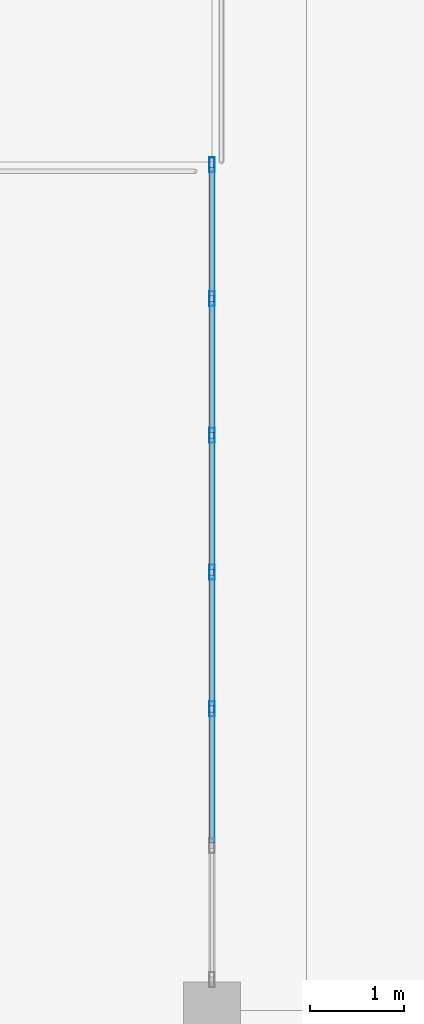
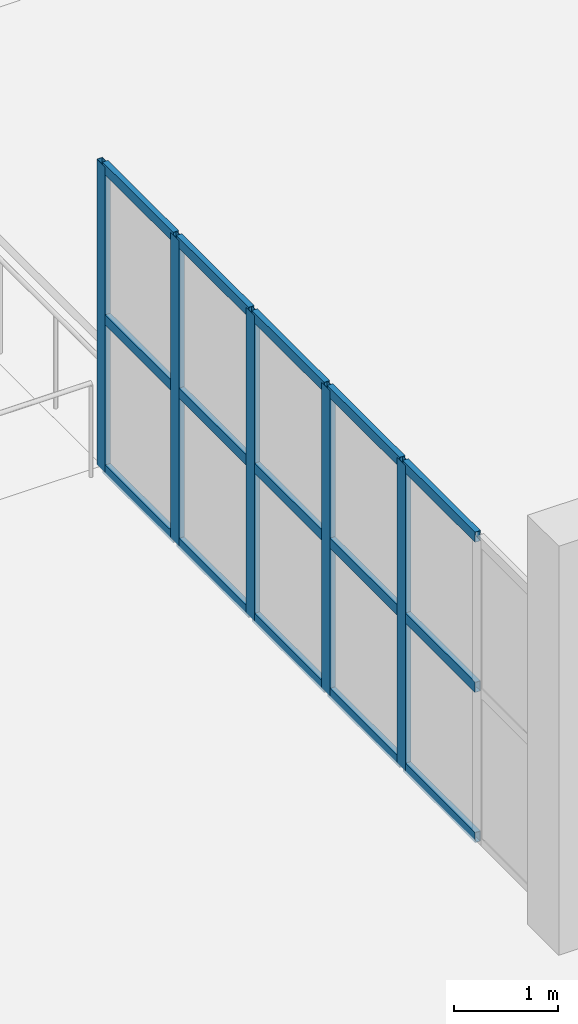
# One storey, part 50 of 89: 20 members, 1 element without a shape of its own.
"""IFC4 building model written with IfcOpenShell, lengths in metres."""

from ifc_helpers import new_model, si_unit, direction, frame, origin, origin_2d, place, context, subcontext, project, spatial, hollow_rectangle, extrude, material, layer, layer_set, material_profile, profile_set, type_object, element, aggregate, save


model = new_model("IFC4")

# Units and contexts
model_context = context("Model", 3, precision=1e-05, world=origin(), true_north=direction((0.0, 1.0)))
body_context = subcontext(model_context, "Body", "Model", "MODEL_VIEW")
ifc_project = project(units=[si_unit("LENGTHUNIT", "METRE"), si_unit("AREAUNIT", "SQUARE_METRE"), si_unit("VOLUMEUNIT", "CUBIC_METRE"), si_unit("PLANEANGLEUNIT", "RADIAN"), si_unit("MASSUNIT", "GRAM", prefix="KILO")], contexts=[model_context])

# Site, building, storey
site_placement = place(None, origin())
site = spatial("IfcSite", under=ifc_project, at=site_placement, CompositionType="ELEMENT")
building_placement = place(site_placement, origin())
building = spatial("IfcBuilding", under=site, at=building_placement, Name="Dornveld Trade and Exhibition Forum", CompositionType="ELEMENT")
storey_placement = place(building_placement, frame((0.0, 0.0, 12.0)))
storey = spatial("IfcBuildingStorey", under=building, at=storey_placement, Name="L02", CompositionType="ELEMENT", Elevation=12.0)

# Curtain wall, members
ifc_material_1 = material(Name="Dark-bronze anodised aluminium and low-E glass", Category="aluminium")
ifc_layer = layer(ifc_material_1, 0.172119140625)
ifc_layer_set = layer_set([ifc_layer], Name="Dark-bronze anodised aluminium and low-E glass")
curtain_wall_type = type_object("IfcCurtainWallType", Name="CW-SYS-10", PredefinedType="USERDEFINED", material=ifc_layer_set)
curtain_wall_placement = place(storey_placement, origin())
curtain_wall = element("IfcCurtainWall", 1, at=curtain_wall_placement, inside=storey, type_object=curtain_wall_type, Name="L02 unitised curtain wall 118", ObjectType="UNITISED_CURTAIN_WALL", PredefinedType="USERDEFINED")
ifc_material_2 = material(Name="Dark-bronze anodised aluminium", Category="aluminium")
ifc_material_profile_1 = material_profile(ifc_material_2, hollow_rectangle(XDim=0.06005859375, YDim=0.159912109375, WallThickness=0.00390625, at=origin_2d()), Name="RHS 160x60x4")
ifc_profile_set_1 = profile_set([ifc_material_profile_1], Name="Dark-bronze anodised aluminium")
member_type_1 = type_object("IfcMemberType", Name="CW-MUL-160", PredefinedType="MULLION", material=ifc_profile_set_1)
member_1_placement = place(storey_placement, frame((207.0, 129.197265625, -0.00390625), z_axis=(0.0, 0.0, 1.0), x_axis=(-1.0, 0.0, 0.0)))
member_1 = element("IfcMember", 2, at=member_1_placement, type_object=member_type_1, Name="CW-10 mullion 3", PredefinedType="MULLION", context=body_context, shape_type="SweptSolid", body=[
    extrude(hollow_rectangle(XDim=0.06005859375, YDim=0.159912109375, WallThickness=0.00390625, at=origin_2d()), origin(), (0.0, 0.0, 1.0), 3.583984375),
])
member_2_placement = place(storey_placement, frame((207.0, 130.64794921875, -0.00390625), z_axis=(0.0, 0.0, 1.0), x_axis=(-1.0, 0.0, 0.0)))
member_2 = element("IfcMember", 3, at=member_2_placement, type_object=member_type_1, Name="CW-10 mullion 4", PredefinedType="MULLION", context=body_context, shape_type="SweptSolid", body=[
    extrude(hollow_rectangle(XDim=0.06005859375, YDim=0.159912109375, WallThickness=0.00390625, at=origin_2d()), origin(), (0.0, 0.0, 1.0), 3.583984375),
])
member_3_placement = place(storey_placement, frame((207.0, 132.0986328125, -0.00390625), z_axis=(0.0, 0.0, 1.0), x_axis=(-1.0, 0.0, 0.0)))
member_3 = element("IfcMember", 4, at=member_3_placement, type_object=member_type_1, Name="CW-10 mullion 5", PredefinedType="MULLION", context=body_context, shape_type="SweptSolid", body=[
    extrude(hollow_rectangle(XDim=0.06005859375, YDim=0.159912109375, WallThickness=0.00390625, at=origin_2d()), origin(), (0.0, 0.0, 1.0), 3.583984375),
])
member_4_placement = place(storey_placement, frame((207.0, 133.54931640625, -0.00390625), z_axis=(0.0, 0.0, 1.0), x_axis=(-1.0, 0.0, 0.0)))
member_4 = element("IfcMember", 5, at=member_4_placement, type_object=member_type_1, Name="CW-10 mullion 6", PredefinedType="MULLION", context=body_context, shape_type="SweptSolid", body=[
    extrude(hollow_rectangle(XDim=0.06005859375, YDim=0.159912109375, WallThickness=0.00390625, at=origin_2d()), origin(), (0.0, 0.0, 1.0), 3.583984375),
])
member_5_placement = place(storey_placement, frame((207.0, 134.969970703125, -0.00390625), z_axis=(0.0, 0.0, 1.0), x_axis=(-1.0, 0.0, 0.0)))
member_5 = element("IfcMember", 6, at=member_5_placement, type_object=member_type_1, Name="CW-10 mullion 7", PredefinedType="MULLION", context=body_context, shape_type="SweptSolid", body=[
    extrude(hollow_rectangle(XDim=0.06005859375, YDim=0.159912109375, WallThickness=0.00390625, at=origin_2d()), origin(), (0.0, 0.0, 1.0), 3.583984375),
])
ifc_material_3 = material(Name="Dark-bronze anodised aluminium", Category="aluminium")
ifc_material_profile_2 = material_profile(ifc_material_3, hollow_rectangle(XDim=0.06005859375, YDim=0.1201171875, WallThickness=0.00390625, at=origin_2d()), Name="RHS 120x60x4")
ifc_profile_set_2 = profile_set([ifc_material_profile_2], Name="Dark-bronze anodised aluminium")
member_type_2 = type_object("IfcMemberType", Name="CW-TRN-120", PredefinedType="USERDEFINED", material=ifc_profile_set_2)
member_6_placement = place(storey_placement, frame((207.0, 127.776611328125, 0.02587890625), z_axis=(0.0, 1.0, 0.0), x_axis=(-1.0, 0.0, 0.0)))
member_6 = element("IfcMember", 7, at=member_6_placement, type_object=member_type_2, Name="CW-10 transom 2.1", ObjectType="TRANSOM", PredefinedType="USERDEFINED", context=body_context, shape_type="SweptSolid", body=[
    extrude(hollow_rectangle(XDim=0.06005859375, YDim=0.1201171875, WallThickness=0.00390625, at=origin_2d()), origin(), (0.0, 0.0, 1.0), 1.390625),
])
member_7_placement = place(storey_placement, frame((207.0, 127.776611328125, 1.7880859375), z_axis=(0.0, 1.0, 0.0), x_axis=(-1.0, 0.0, 0.0)))
member_7 = element("IfcMember", 8, at=member_7_placement, type_object=member_type_2, Name="CW-10 transom 2.2", ObjectType="TRANSOM", PredefinedType="USERDEFINED", context=body_context, shape_type="SweptSolid", body=[
    extrude(hollow_rectangle(XDim=0.06005859375, YDim=0.1201171875, WallThickness=0.00390625, at=origin_2d()), origin(), (0.0, 0.0, 1.0), 1.390625),
])
member_8_placement = place(storey_placement, frame((207.0, 127.776611328125, 3.550048828125), z_axis=(0.0, 1.0, 0.0), x_axis=(-1.0, 0.0, 0.0)))
member_8 = element("IfcMember", 9, at=member_8_placement, type_object=member_type_2, Name="CW-10 transom 2.3", ObjectType="TRANSOM", PredefinedType="USERDEFINED", context=body_context, shape_type="SweptSolid", body=[
    extrude(hollow_rectangle(XDim=0.06005859375, YDim=0.1201171875, WallThickness=0.00390625, at=origin_2d()), origin(), (0.0, 0.0, 1.0), 1.390625),
])
member_9_placement = place(storey_placement, frame((207.0, 129.227294921875, 0.02587890625), z_axis=(0.0, 1.0, 0.0), x_axis=(-1.0, 0.0, 0.0)))
member_9 = element("IfcMember", 10, at=member_9_placement, type_object=member_type_2, Name="CW-10 transom 3.1", ObjectType="TRANSOM", PredefinedType="USERDEFINED", context=body_context, shape_type="SweptSolid", body=[
    extrude(hollow_rectangle(XDim=0.06005859375, YDim=0.1201171875, WallThickness=0.00390625, at=origin_2d()), origin(), (0.0, 0.0, 1.0), 1.390625),
])
member_10_placement = place(storey_placement, frame((207.0, 129.227294921875, 1.7880859375), z_axis=(0.0, 1.0, 0.0), x_axis=(-1.0, 0.0, 0.0)))
member_10 = element("IfcMember", 11, at=member_10_placement, type_object=member_type_2, Name="CW-10 transom 3.2", ObjectType="TRANSOM", PredefinedType="USERDEFINED", context=body_context, shape_type="SweptSolid", body=[
    extrude(hollow_rectangle(XDim=0.06005859375, YDim=0.1201171875, WallThickness=0.00390625, at=origin_2d()), origin(), (0.0, 0.0, 1.0), 1.390625),
])
member_11_placement = place(storey_placement, frame((207.0, 129.227294921875, 3.550048828125), z_axis=(0.0, 1.0, 0.0), x_axis=(-1.0, 0.0, 0.0)))
member_11 = element("IfcMember", 12, at=member_11_placement, type_object=member_type_2, Name="CW-10 transom 3.3", ObjectType="TRANSOM", PredefinedType="USERDEFINED", context=body_context, shape_type="SweptSolid", body=[
    extrude(hollow_rectangle(XDim=0.06005859375, YDim=0.1201171875, WallThickness=0.00390625, at=origin_2d()), origin(), (0.0, 0.0, 1.0), 1.390625),
])
member_12_placement = place(storey_placement, frame((207.0, 130.677978515625, 0.02587890625), z_axis=(0.0, 1.0, 0.0), x_axis=(-1.0, 0.0, 0.0)))
member_12 = element("IfcMember", 13, at=member_12_placement, type_object=member_type_2, Name="CW-10 transom 4.1", ObjectType="TRANSOM", PredefinedType="USERDEFINED", context=body_context, shape_type="SweptSolid", body=[
    extrude(hollow_rectangle(XDim=0.06005859375, YDim=0.1201171875, WallThickness=0.00390625, at=origin_2d()), origin(), (0.0, 0.0, 1.0), 1.390625),
])
member_13_placement = place(storey_placement, frame((207.0, 130.677978515625, 1.7880859375), z_axis=(0.0, 1.0, 0.0), x_axis=(-1.0, 0.0, 0.0)))
member_13 = element("IfcMember", 14, at=member_13_placement, type_object=member_type_2, Name="CW-10 transom 4.2", ObjectType="TRANSOM", PredefinedType="USERDEFINED", context=body_context, shape_type="SweptSolid", body=[
    extrude(hollow_rectangle(XDim=0.06005859375, YDim=0.1201171875, WallThickness=0.00390625, at=origin_2d()), origin(), (0.0, 0.0, 1.0), 1.390625),
])
member_14_placement = place(storey_placement, frame((207.0, 130.677978515625, 3.550048828125), z_axis=(0.0, 1.0, 0.0), x_axis=(-1.0, 0.0, 0.0)))
member_14 = element("IfcMember", 15, at=member_14_placement, type_object=member_type_2, Name="CW-10 transom 4.3", ObjectType="TRANSOM", PredefinedType="USERDEFINED", context=body_context, shape_type="SweptSolid", body=[
    extrude(hollow_rectangle(XDim=0.06005859375, YDim=0.1201171875, WallThickness=0.00390625, at=origin_2d()), origin(), (0.0, 0.0, 1.0), 1.390625),
])
member_15_placement = place(storey_placement, frame((207.0, 132.128662109375, 0.02587890625), z_axis=(0.0, 1.0, 0.0), x_axis=(-1.0, 0.0, 0.0)))
member_15 = element("IfcMember", 16, at=member_15_placement, type_object=member_type_2, Name="CW-10 transom 5.1", ObjectType="TRANSOM", PredefinedType="USERDEFINED", context=body_context, shape_type="SweptSolid", body=[
    extrude(hollow_rectangle(XDim=0.06005859375, YDim=0.1201171875, WallThickness=0.00390625, at=origin_2d()), origin(), (0.0, 0.0, 1.0), 1.390625),
])
member_16_placement = place(storey_placement, frame((207.0, 132.128662109375, 1.7880859375), z_axis=(0.0, 1.0, 0.0), x_axis=(-1.0, 0.0, 0.0)))
member_16 = element("IfcMember", 17, at=member_16_placement, type_object=member_type_2, Name="CW-10 transom 5.2", ObjectType="TRANSOM", PredefinedType="USERDEFINED", context=body_context, shape_type="SweptSolid", body=[
    extrude(hollow_rectangle(XDim=0.06005859375, YDim=0.1201171875, WallThickness=0.00390625, at=origin_2d()), origin(), (0.0, 0.0, 1.0), 1.390625),
])
member_17_placement = place(storey_placement, frame((207.0, 132.128662109375, 3.550048828125), z_axis=(0.0, 1.0, 0.0), x_axis=(-1.0, 0.0, 0.0)))
member_17 = element("IfcMember", 18, at=member_17_placement, type_object=member_type_2, Name="CW-10 transom 5.3", ObjectType="TRANSOM", PredefinedType="USERDEFINED", context=body_context, shape_type="SweptSolid", body=[
    extrude(hollow_rectangle(XDim=0.06005859375, YDim=0.1201171875, WallThickness=0.00390625, at=origin_2d()), origin(), (0.0, 0.0, 1.0), 1.390625),
])
member_18_placement = place(storey_placement, frame((207.0, 133.579345703125, 0.02587890625), z_axis=(0.0, 1.0, 0.0), x_axis=(-1.0, 0.0, 0.0)))
member_18 = element("IfcMember", 19, at=member_18_placement, type_object=member_type_2, Name="CW-10 transom 6.1", ObjectType="TRANSOM", PredefinedType="USERDEFINED", context=body_context, shape_type="SweptSolid", body=[
    extrude(hollow_rectangle(XDim=0.06005859375, YDim=0.1201171875, WallThickness=0.00390625, at=origin_2d()), origin(), (0.0, 0.0, 1.0), 1.360595703125),
])
member_19_placement = place(storey_placement, frame((207.0, 133.579345703125, 1.7880859375), z_axis=(0.0, 1.0, 0.0), x_axis=(-1.0, 0.0, 0.0)))
member_19 = element("IfcMember", 20, at=member_19_placement, type_object=member_type_2, Name="CW-10 transom 6.2", ObjectType="TRANSOM", PredefinedType="USERDEFINED", context=body_context, shape_type="SweptSolid", body=[
    extrude(hollow_rectangle(XDim=0.06005859375, YDim=0.1201171875, WallThickness=0.00390625, at=origin_2d()), origin(), (0.0, 0.0, 1.0), 1.360595703125),
])
member_20_placement = place(storey_placement, frame((207.0, 133.579345703125, 3.550048828125), z_axis=(0.0, 1.0, 0.0), x_axis=(-1.0, 0.0, 0.0)))
member_20 = element("IfcMember", 21, at=member_20_placement, type_object=member_type_2, Name="CW-10 transom 6.3", ObjectType="TRANSOM", PredefinedType="USERDEFINED", context=body_context, shape_type="SweptSolid", body=[
    extrude(hollow_rectangle(XDim=0.06005859375, YDim=0.1201171875, WallThickness=0.00390625, at=origin_2d()), origin(), (0.0, 0.0, 1.0), 1.360595703125),
])
aggregate(curtain_wall, [member_1, member_2, member_3, member_4, member_5, member_6, member_7, member_8, member_9, member_10, member_11, member_12, member_13, member_14, member_15, member_16, member_17, member_18, member_19, member_20])

save(model, "model.ifc")
